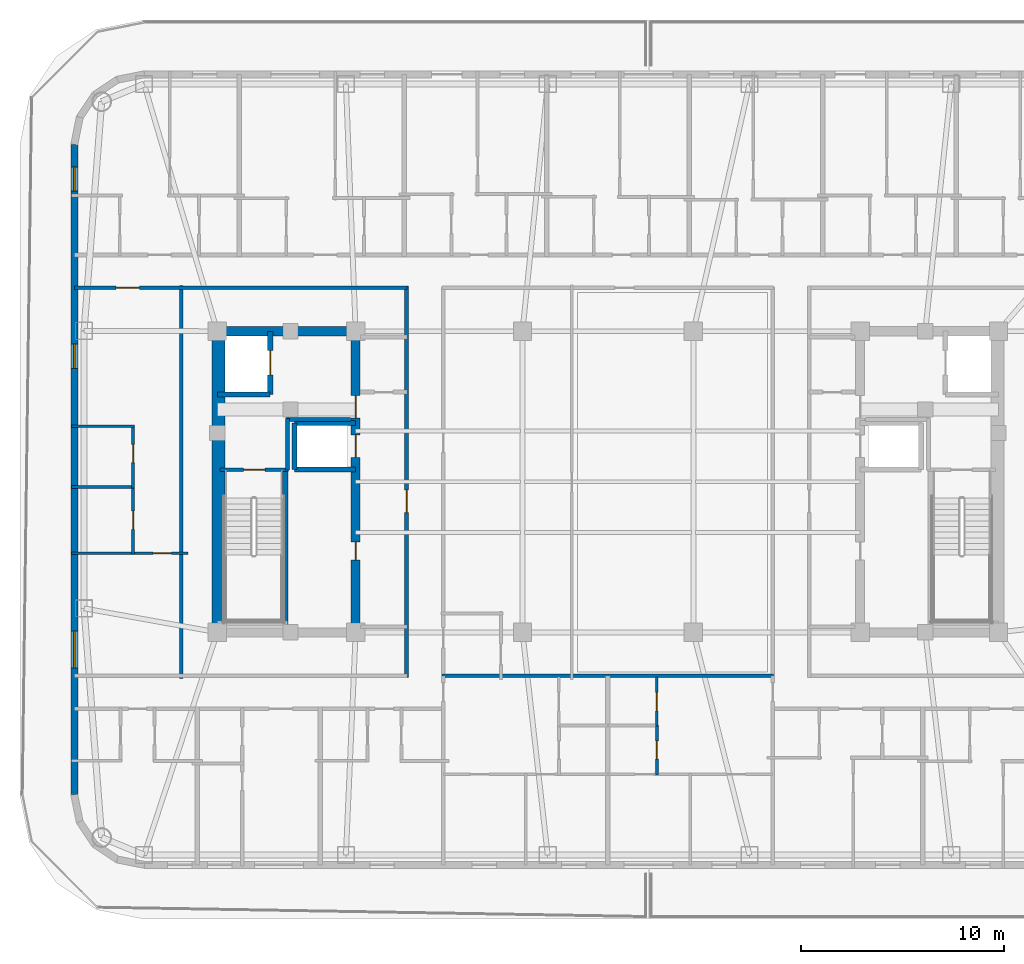
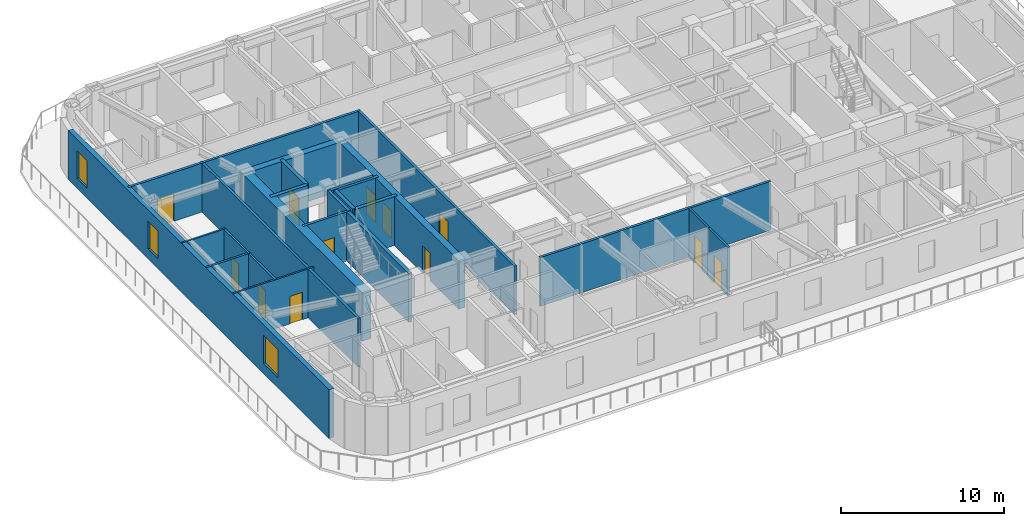
# One storey, part 4 of 15: 24 walls, 12 doors, 3 windows, 15 openings.
"""IFC4 building model written with IfcOpenShell, lengths in metres."""

from ifc_helpers import new_model, si_unit, direction, frame, frame_2d, origin, place, context, subcontext, project, spatial, rectangle, extrude, material, layer, layer_set, type_object, element, fill, save


model = new_model("IFC4")

# Units and contexts
model_context = context("Model", 3, precision=1e-05, world=origin(), true_north=direction((0.0, 1.0)))
body_context = subcontext(model_context, "Body", "Model", "MODEL_VIEW")
ifc_project = project(units=[si_unit("LENGTHUNIT", "METRE"), si_unit("AREAUNIT", "SQUARE_METRE"), si_unit("VOLUMEUNIT", "CUBIC_METRE"), si_unit("PLANEANGLEUNIT", "RADIAN"), si_unit("MASSUNIT", "GRAM", prefix="KILO")], contexts=[model_context])

# Site, building, storey
site_placement = place(None, origin())
site = spatial("IfcSite", under=ifc_project, at=site_placement, CompositionType="ELEMENT")
building_placement = place(site_placement, origin())
building = spatial("IfcBuilding", under=site, at=building_placement, Name="Voryun Gate Residences", CompositionType="ELEMENT")
storey_placement = place(building_placement, frame((0.0, 0.0, 231.39990234375)))
storey = spatial("IfcBuildingStorey", under=building, at=storey_placement, Name="L57", CompositionType="ELEMENT", Elevation=231.39990234375)

# Wall
ifc_material_1 = material(Name="Concrete C50/60", Category="concrete")
ifc_layer_1 = layer(ifc_material_1, 0.449951171875, Name="CW_CORE_450")
ifc_layer_set_1 = layer_set([ifc_layer_1], Name="Concrete C50/60")
wall_type_1 = type_object("IfcWallType", Name="CW_CORE_450", PredefinedType="SHEAR", material=ifc_layer_set_1)
wall_1_placement = place(storey_placement, frame((-19.425048828125, 7.39990234375, 0.0), z_axis=(0.0, 0.0, 1.0), x_axis=(1.0, 0.0, 0.0)))
element("IfcWall", 1, at=wall_1_placement, inside=storey, type_object=wall_type_1, Name="L57 Core shear wall CW-L57-WN", PredefinedType="SHEAR", context=body_context, shape_type="SweptSolid", body=[
    extrude(rectangle(XDim=7.25, YDim=0.449951171875, at=frame_2d((3.625, 0.0))), origin(), (0.0, 0.0, 1.0), 3.650146484375),
])

# Wall, openings, doors
wall_2_placement = place(storey_placement, frame((-12.39990234375, -7.39990234375, 0.0), z_axis=(0.0, 0.0, 1.0), x_axis=(0.0, 1.0, 0.0)))
wall_2 = element("IfcWall", 2, at=wall_2_placement, inside=storey, type_object=wall_type_1, Name="L57 Core shear wall CW-L57-WE", PredefinedType="SHEAR", context=body_context, shape_type="SweptSolid", body=[
    extrude(rectangle(XDim=14.7998046875, YDim=0.449951171875, at=frame_2d((7.39990234375, 0.0))), origin(), (0.0, 0.0, 1.0), 3.650146484375),
])
opening_1_placement = place(wall_2_placement, frame((8.60009765625, 0.0, 0.0)))
opening_1 = element("IfcOpeningElement", 3, at=opening_1_placement, cuts=wall_2, Name="Opening LD2", PredefinedType="OPENING", context=body_context, shape_type="SweptSolid", body=[
    extrude(rectangle(XDim=1.10009765625, YDim=2.050048828125, at=frame_2d((0.550048828125, 1.02490234375))), frame((0.0, 0.235107421875, 0.0), z_axis=(0.0, -1.0, 0.0), x_axis=(1.0, 0.0, 0.0)), (0.0, 0.0, 1.0), 0.469970703125),
])
opening_2_placement = place(wall_2_placement, frame((10.530029296875, 0.0, 0.0)))
opening_2 = element("IfcOpeningElement", 4, at=opening_2_placement, cuts=wall_2, Name="Opening D-FD60-2", PredefinedType="OPENING", context=body_context, shape_type="SweptSolid", body=[
    extrude(rectangle(XDim=1.10009765625, YDim=2.050048828125, at=frame_2d((0.550048828125, 1.02490234375))), frame((0.0, 0.235107421875, 0.0), z_axis=(0.0, -1.0, 0.0), x_axis=(1.0, 0.0, 0.0)), (0.0, 0.0, 1.0), 0.469970703125),
])
opening_3_placement = place(wall_2_placement, frame((3.550048828125, 0.0, 0.0)))
opening_3 = element("IfcOpeningElement", 5, at=opening_3_placement, cuts=wall_2, Name="Opening D-FD60-4", PredefinedType="OPENING", context=body_context, shape_type="SweptSolid", body=[
    extrude(rectangle(XDim=0.89990234375, YDim=2.050048828125, at=frame_2d((0.449951171875, 1.02490234375))), frame((0.0, 0.235107421875, 0.0), z_axis=(0.0, -1.0, 0.0), x_axis=(1.0, 0.0, 0.0)), (0.0, 0.0, 1.0), 0.469970703125),
])
ifc_material_2 = material(Name="Painted steel fire door", Category="steel")
door_type_1 = type_object("IfcDoorType", Name="DR_FD60_FFLOB_1100", OperationType="NOTDEFINED", PredefinedType="DOOR", material=ifc_material_2)
door_1_placement = place(opening_2_placement, origin())
door_1 = element("IfcDoor", 6, at=door_1_placement, inside=storey, type_object=door_type_1, Name="Door DR-L57-CLOB-W", OperationType="SINGLE_SWING_LEFT", OverallHeight=2.050048828125, OverallWidth=1.10009765625, PredefinedType="DOOR", context=body_context, shape_type="SweptSolid", body=[
    extrude(rectangle(XDim=1.10009765625, YDim=2.050048828125, at=frame_2d((0.550048828125, 1.02490234375))), frame((0.0, 0.02490234375, 0.0), z_axis=(0.0, -1.0, 0.0), x_axis=(1.0, 0.0, 0.0)), (0.0, 0.0, 1.0), 0.050048828125),
])
fill(opening_2, door_1)
ifc_material_3 = material(Name="Painted steel fire door", Category="steel")
door_type_2 = type_object("IfcDoorType", Name="DR_FD60_RISER_900", OperationType="NOTDEFINED", PredefinedType="DOOR", material=ifc_material_3)
door_2_placement = place(opening_3_placement, origin())
door_2 = element("IfcDoor", 7, at=door_2_placement, inside=storey, type_object=door_type_2, Name="Door DR-L57-RECW-HI", OperationType="SINGLE_SWING_LEFT", OverallHeight=2.050048828125, OverallWidth=0.89990234375, PredefinedType="DOOR", context=body_context, shape_type="SweptSolid", body=[
    extrude(rectangle(XDim=0.89990234375, YDim=2.050048828125, at=frame_2d((0.449951171875, 1.02490234375))), frame((0.0, 0.02490234375, 0.0), z_axis=(0.0, -1.0, 0.0), x_axis=(1.0, 0.0, 0.0)), (0.0, 0.0, 1.0), 0.050048828125),
])
fill(opening_3, door_2)
ifc_material_4 = material(Name="Anodised aluminium", Category="aluminium")
door_type_3 = type_object("IfcDoorType", Name="DR_LD_PASS_1100", OperationType="NOTDEFINED", PredefinedType="DOOR", material=ifc_material_4)
door_3_placement = place(opening_1_placement, origin())
door_3 = element("IfcDoor", 8, at=door_3_placement, inside=storey, type_object=door_type_3, Name="Lift EL-P7 sliding landing door L57", OperationType="SLIDING_TO_LEFT", OverallHeight=2.050048828125, OverallWidth=1.10009765625, PredefinedType="DOOR", context=body_context, shape_type="SweptSolid", body=[
    extrude(rectangle(XDim=1.10009765625, YDim=2.050048828125, at=frame_2d((0.550048828125, 1.02490234375))), frame((0.0, 0.02490234375, 0.0), z_axis=(0.0, -1.0, 0.0), x_axis=(1.0, 0.0, 0.0)), (0.0, 0.0, 1.0), 0.050048828125),
])
fill(opening_1, door_3)

# Wall
ifc_material_5 = material(Name="Concrete C60/75", Category="concrete")
ifc_layer_2 = layer(ifc_material_5, 0.64990234375, Name="CW_CORE_650")
ifc_layer_set_2 = layer_set([ifc_layer_2], Name="Concrete C60/75")
wall_type_2 = type_object("IfcWallType", Name="CW_CORE_650", PredefinedType="SHEAR", material=ifc_layer_set_2)
wall_3_placement = place(storey_placement, frame((-19.14501953125, -7.39990234375, 0.0), z_axis=(0.0, 0.0, 1.0), x_axis=(0.0, 1.0, 0.0)))
element("IfcWall", 9, at=wall_3_placement, inside=storey, type_object=wall_type_2, Name="L57 Core shear wall CW-L57-WW", PredefinedType="SHEAR", context=body_context, shape_type="SweptSolid", body=[
    extrude(rectangle(XDim=14.7998046875, YDim=0.64990234375, at=frame_2d((7.39990234375, 0.0))), origin(), (0.0, 0.0, 1.0), 3.650146484375),
])

# Wall, opening, door
ifc_material_6 = material(Name="Gypsum acoustic fireboard")
ifc_layer_3 = layer(ifc_material_6, 0.179931640625, Name="W_CORR_RATED_180")
ifc_layer_set_3 = layer_set([ifc_layer_3], Name="Gypsum acoustic fireboard")
wall_type_3 = type_object("IfcWallType", Name="W_CORR_RATED_180", PredefinedType="PARTITIONING", material=ifc_layer_set_3)
wall_4_placement = place(storey_placement, frame((-19.06005859375, 0.60009765625, 0.0), z_axis=(0.0, 0.0, 1.0), x_axis=(1.0, 0.0, 0.0)))
wall_4 = element("IfcWall", 10, at=wall_4_placement, inside=storey, type_object=wall_type_3, Name="Partition wall WP-L57-STV-W", PredefinedType="PARTITIONING", context=body_context, shape_type="SweptSolid", body=[
    extrude(rectangle(XDim=3.360107421875, YDim=0.179931640625, at=frame_2d((1.68017578125, 0.0))), origin(), (0.0, 0.0, 1.0), 3.650146484375),
])
opening_4_placement = place(wall_4_placement, frame((1.155029296875, 0.0, 0.0)))
opening_4 = element("IfcOpeningElement", 11, at=opening_4_placement, cuts=wall_4, Name="Opening D-FD60-1", PredefinedType="OPENING", context=body_context, shape_type="SweptSolid", body=[
    extrude(rectangle(XDim=1.050048828125, YDim=2.050048828125, at=frame_2d((0.52490234375, 1.02490234375))), frame((0.0, 0.099853515625, 0.0), z_axis=(0.0, -1.0, 0.0), x_axis=(1.0, 0.0, 0.0)), (0.0, 0.0, 1.0), 0.199951171875),
])
ifc_material_7 = material(Name="Painted steel fire door", Category="steel")
door_type_4 = type_object("IfcDoorType", Name="DR_FD60_STAIR_1050", OperationType="NOTDEFINED", PredefinedType="DOOR", material=ifc_material_7)
door_4_placement = place(opening_4_placement, origin())
door_4 = element("IfcDoor", 12, at=door_4_placement, inside=storey, type_object=door_type_4, Name="Door DR-L57-ST-W", OperationType="SINGLE_SWING_LEFT", OverallHeight=2.050048828125, OverallWidth=1.050048828125, PredefinedType="DOOR", context=body_context, shape_type="SweptSolid", body=[
    extrude(rectangle(XDim=1.050048828125, YDim=2.050048828125, at=frame_2d((0.52490234375, 1.02490234375))), frame((0.0, 0.02490234375, 0.0), z_axis=(0.0, -1.0, 0.0), x_axis=(1.0, 0.0, 0.0)), (0.0, 0.0, 1.0), 0.050048828125),
])
fill(opening_4, door_4)

wall_5_placement = place(storey_placement, frame((-9.89990234375, -9.6298828125, 0.0), z_axis=(0.0, 0.0, 1.0), x_axis=(0.0, 1.0, 0.0)))
wall_5 = element("IfcWall", 13, at=wall_5_placement, inside=storey, type_object=wall_type_3, Name="Partition wall WP-L57-PLBW-FULL", PredefinedType="PARTITIONING", context=body_context, shape_type="SweptSolid", body=[
    extrude(rectangle(XDim=19.259765625, YDim=0.179931640625, at=frame_2d((9.6298828125, 0.0))), origin(), (0.0, 0.0, 1.0), 3.650146484375),
])
opening_5_placement = place(wall_5_placement, frame((8.116943359375, 0.0, 0.0)))
opening_5 = element("IfcOpeningElement", 14, at=opening_5_placement, cuts=wall_5, Name="Opening D-FD60-2", PredefinedType="OPENING", context=body_context, shape_type="SweptSolid", body=[
    extrude(rectangle(XDim=1.10009765625, YDim=2.050048828125, at=frame_2d((0.550048828125, 1.02490234375))), frame((0.0, 0.099853515625, 0.0), z_axis=(0.0, -1.0, 0.0), x_axis=(1.0, 0.0, 0.0)), (0.0, 0.0, 1.0), 0.199951171875),
])
door_5_placement = place(opening_5_placement, origin())
door_5 = element("IfcDoor", 15, at=door_5_placement, inside=storey, type_object=door_type_1, Name="Door DR-L57-PLBW-COR", OperationType="SINGLE_SWING_LEFT", OverallHeight=2.050048828125, OverallWidth=1.10009765625, PredefinedType="DOOR", context=body_context, shape_type="SweptSolid", body=[
    extrude(rectangle(XDim=1.10009765625, YDim=2.050048828125, at=frame_2d((0.550048828125, 1.02490234375))), frame((0.0, 0.02490234375, 0.0), z_axis=(0.0, -1.0, 0.0), x_axis=(1.0, 0.0, 0.0)), (0.0, 0.0, 1.0), 0.050048828125),
])
fill(opening_5, door_5)

wall_6_placement = place(storey_placement, frame((-26.22998046875, 9.5400390625, 0.0), z_axis=(0.0, 0.0, 1.0), x_axis=(1.0, 0.0, 0.0)))
wall_6 = element("IfcWall", 16, at=wall_6_placement, inside=storey, type_object=wall_type_3, Name="Partition wall WP-L57-CWING-WN", PredefinedType="PARTITIONING", context=body_context, shape_type="SweptSolid", body=[
    extrude(rectangle(XDim=16.35009765625, YDim=0.179931640625, at=frame_2d((8.175048828125, 0.0))), origin(), (0.0, 0.0, 1.0), 3.650146484375),
])
opening_6_placement = place(wall_6_placement, frame((2.05078125, 0.0, 0.0)))
opening_6 = element("IfcOpeningElement", 17, at=opening_6_placement, cuts=wall_6, Name="Opening D-UNIT-1", PredefinedType="OPENING", context=body_context, shape_type="SweptSolid", body=[
    extrude(rectangle(XDim=1.14990234375, YDim=2.050048828125, at=frame_2d((0.574951171875, 1.02490234375))), frame((0.0, 0.099853515625, 0.0), z_axis=(0.0, -1.0, 0.0), x_axis=(1.0, 0.0, 0.0)), (0.0, 0.0, 1.0), 0.199951171875),
])
ifc_material_8 = material(Name="Armoured timber-clad fire door", Category="wood")
door_type_5 = type_object("IfcDoorType", Name="DR_UNIT_ENTRY_1150", OperationType="NOTDEFINED", PredefinedType="DOOR", material=ifc_material_8)
door_6_placement = place(opening_6_placement, origin())
door_6 = element("IfcDoor", 18, at=door_6_placement, inside=storey, type_object=door_type_5, Name="Door DR-L57-WE1N", OperationType="SINGLE_SWING_LEFT", OverallHeight=2.050048828125, OverallWidth=1.14990234375, PredefinedType="DOOR", context=body_context, shape_type="SweptSolid", body=[
    extrude(rectangle(XDim=1.14990234375, YDim=2.050048828125, at=frame_2d((0.574951171875, 1.02490234375))), frame((0.0, 0.02490234375, 0.0), z_axis=(0.0, -1.0, 0.0), x_axis=(1.0, 0.0, 0.0)), (0.0, 0.0, 1.0), 0.050048828125),
])
fill(opening_6, door_6)

# Walls
wall_7_placement = place(storey_placement, frame((-8.14990234375, -9.5400390625, 0.0), z_axis=(0.0, 0.0, 1.0), x_axis=(1.0, 0.0, 0.0)))
element("IfcWall", 19, at=wall_7_placement, inside=storey, type_object=wall_type_3, Name="Partition wall WP-L57-Z3S", PredefinedType="PARTITIONING", context=body_context, shape_type="SweptSolid", body=[
    extrude(rectangle(XDim=16.2998046875, YDim=0.179931640625, at=frame_2d((8.14990234375, 0.0))), origin(), (0.0, 0.0, 1.0), 3.650146484375),
])
wall_8_placement = place(storey_placement, frame((-20.969970703125, -9.659912109375, 0.0), z_axis=(0.0, 0.0, 1.0), x_axis=(0.0, 1.0, 0.0)))
element("IfcWall", 20, at=wall_8_placement, inside=storey, type_object=wall_type_3, Name="Partition wall WP-L57-WCOR", PredefinedType="PARTITIONING", context=body_context, shape_type="SweptSolid", body=[
    extrude(rectangle(XDim=19.31982421875, YDim=0.179931640625, at=frame_2d((9.659912109375, 0.0))), origin(), (0.0, 0.0, 1.0), 3.650146484375),
])

# Wall, openings, windows
ifc_material_9 = material(Name="Charcoal terracotta masonry", Category="masonry")
ifc_layer_4 = layer(ifc_material_9, 0.340087890625, Name="W_EXT_TERRACOTTA_340")
ifc_layer_set_4 = layer_set([ifc_layer_4], Name="Charcoal terracotta masonry")
wall_type_4 = type_object("IfcWallType", Name="W_EXT_TERRACOTTA_340", PredefinedType="ELEMENTEDWALL", material=ifc_layer_set_4)
wall_9_placement = place(storey_placement, frame((-26.22998046875, -15.38330078125, 0.0), z_axis=(0.0, 0.0, 1.0), x_axis=(0.0, 1.0, 0.0)))
wall_9 = element("IfcWall", 21, at=wall_9_placement, inside=storey, type_object=wall_type_4, Name="Exterior wall WEXT-L57-06", PredefinedType="ELEMENTEDWALL", context=body_context, shape_type="SweptSolid", body=[
    extrude(rectangle(XDim=31.966552734375, YDim=0.340087890625, at=frame_2d((15.9833984375, 0.0))), origin(), (0.0, 0.0, 1.0), 3.650146484375),
])
opening_7_placement = place(wall_9_placement, frame((6.24169921875, 0.0, 0.75)))
opening_7 = element("IfcOpeningElement", 22, at=opening_7_placement, cuts=wall_9, Name="Opening WN1", PredefinedType="OPENING", context=body_context, shape_type="SweptSolid", body=[
    extrude(rectangle(XDim=1.800048828125, YDim=2.10009765625, at=frame_2d((0.89990234375, 1.050048828125))), frame((0.0, 0.179931640625, 0.0), z_axis=(0.0, -1.0, 0.0), x_axis=(1.0, 0.0, 0.0)), (0.0, 0.0, 1.0), 0.360107421875),
])
opening_8_placement = place(wall_9_placement, frame((29.6669921875, 0.0, 0.75)))
opening_8 = element("IfcOpeningElement", 23, at=opening_8_placement, cuts=wall_9, Name="Opening WN6", PredefinedType="OPENING", context=body_context, shape_type="SweptSolid", body=[
    extrude(rectangle(XDim=1.199951171875, YDim=2.050048828125, at=frame_2d((0.60009765625, 1.02490234375))), frame((0.0, 0.179931640625, 0.0), z_axis=(0.0, -1.0, 0.0), x_axis=(1.0, 0.0, 0.0)), (0.0, 0.0, 1.0), 0.360107421875),
])
opening_9_placement = place(wall_9_placement, frame((20.953369140625, 0.0, 0.75)))
opening_9 = element("IfcOpeningElement", 24, at=opening_9_placement, cuts=wall_9, Name="Opening WN6", PredefinedType="OPENING", context=body_context, shape_type="SweptSolid", body=[
    extrude(rectangle(XDim=1.199951171875, YDim=2.050048828125, at=frame_2d((0.60009765625, 1.02490234375))), frame((0.0, 0.179931640625, 0.0), z_axis=(0.0, -1.0, 0.0), x_axis=(1.0, 0.0, 0.0)), (0.0, 0.0, 1.0), 0.360107421875),
])
ifc_material_10 = material(Name="Laminated low-E glass", Category="glass")
window_type_1 = type_object("IfcWindowType", Name="WN_POD_SLOT_1200", PartitioningType="SINGLE_PANEL", PredefinedType="WINDOW", material=ifc_material_10)
window_1_placement = place(opening_8_placement, origin())
window_1 = element("IfcWindow", 25, at=window_1_placement, inside=storey, type_object=window_type_1, Name="Window WN-L57-DWFIX-01", OverallHeight=2.050048828125, OverallWidth=1.199951171875, PartitioningType="SINGLE_PANEL", PredefinedType="WINDOW", context=body_context, shape_type="SweptSolid", body=[
    extrude(rectangle(XDim=1.199951171875, YDim=2.050048828125, at=frame_2d((0.60009765625, 1.02490234375))), frame((0.0, 0.030029296875, 0.0), z_axis=(0.0, -1.0, 0.0), x_axis=(1.0, 0.0, 0.0)), (0.0, 0.0, 1.0), 0.06005859375),
])
fill(opening_8, window_1)
window_2_placement = place(opening_9_placement, origin())
window_2 = element("IfcWindow", 26, at=window_2_placement, inside=storey, type_object=window_type_1, Name="Window WN-L57-DWFIX-25", OverallHeight=2.050048828125, OverallWidth=1.199951171875, PartitioningType="SINGLE_PANEL", PredefinedType="WINDOW", context=body_context, shape_type="SweptSolid", body=[
    extrude(rectangle(XDim=1.199951171875, YDim=2.050048828125, at=frame_2d((0.60009765625, 1.02490234375))), frame((0.0, 0.030029296875, 0.0), z_axis=(0.0, -1.0, 0.0), x_axis=(1.0, 0.0, 0.0)), (0.0, 0.0, 1.0), 0.06005859375),
])
fill(opening_9, window_2)
ifc_material_11 = material(Name="Laminated low-E glass", Category="glass")
window_type_2 = type_object("IfcWindowType", Name="WN_RES_PUNCH_1800", PartitioningType="SINGLE_PANEL", PredefinedType="WINDOW", material=ifc_material_11)
window_3_placement = place(opening_7_placement, origin())
window_3 = element("IfcWindow", 27, at=window_3_placement, inside=storey, type_object=window_type_2, Name="Window WN-WEXT-L57-06-01", OverallHeight=2.10009765625, OverallWidth=1.800048828125, PartitioningType="SINGLE_PANEL", PredefinedType="WINDOW", context=body_context, shape_type="SweptSolid", body=[
    extrude(rectangle(XDim=1.800048828125, YDim=2.10009765625, at=frame_2d((0.89990234375, 1.050048828125))), frame((0.0, 0.030029296875, 0.0), z_axis=(0.0, -1.0, 0.0), x_axis=(1.0, 0.0, 0.0)), (0.0, 0.0, 1.0), 0.06005859375),
])
fill(opening_7, window_3)

# Walls
ifc_material_12 = material(Name="Concrete C40/50", Category="concrete")
ifc_layer_5 = layer(ifc_material_12, 0.199951171875, Name="W_FF_LOBBY_200")
ifc_layer_set_5 = layer_set([ifc_layer_5], Name="Concrete C40/50")
wall_type_5 = type_object("IfcWallType", Name="W_FF_LOBBY_200", PredefinedType="PARTITIONING", material=ifc_layer_set_5)
wall_10_placement = place(storey_placement, frame((-15.760009765625, 0.580078125, 0.0), z_axis=(0.0, 0.0, 1.0), x_axis=(0.0, 1.0, 0.0)))
element("IfcWall", 28, at=wall_10_placement, inside=storey, type_object=wall_type_5, Name="Partition wall WP-L57-FFP0-W", PredefinedType="PARTITIONING", context=body_context, shape_type="SweptSolid", body=[
    extrude(rectangle(XDim=2.52001953125, YDim=0.199951171875, at=frame_2d((1.260009765625, 0.0))), origin(), (0.0, 0.0, 1.0), 3.650146484375),
])
wall_11_placement = place(storey_placement, frame((-15.820068359375, 3.06005859375, 0.0), z_axis=(0.0, 0.0, 1.0), x_axis=(1.0, 0.0, 0.0)))
element("IfcWall", 29, at=wall_11_placement, inside=storey, type_object=wall_type_5, Name="Partition wall WP-L57-FFPS-W", PredefinedType="PARTITIONING", context=body_context, shape_type="SweptSolid", body=[
    extrude(rectangle(XDim=3.16015625, YDim=0.199951171875, at=frame_2d((1.580078125, 0.0))), origin(), (0.0, 0.0, 1.0), 3.650146484375),
])
ifc_material_13 = material(Name="Concrete C50/60", Category="concrete")
ifc_layer_6 = layer(ifc_material_13, 0.25, Name="W_SHAFT_RC250")
ifc_layer_set_6 = layer_set([ifc_layer_6], Name="Concrete C50/60")
wall_type_6 = type_object("IfcWallType", Name="W_SHAFT_RC250", PredefinedType="SOLIDWALL", material=ifc_layer_set_6)
wall_12_placement = place(storey_placement, frame((-15.860107421875, -7.0849609375, 0.0), z_axis=(0.0, 0.0, 1.0), x_axis=(0.0, 1.0, 0.0)))
element("IfcWall", 30, at=wall_12_placement, inside=storey, type_object=wall_type_6, Name="L57 Stair shaft structural wall W-STR", PredefinedType="SOLIDWALL", context=body_context, shape_type="SweptSolid", body=[
    extrude(rectangle(XDim=7.68505859375, YDim=0.25, at=frame_2d((3.842529296875, 0.0))), origin(), (0.0, 0.0, 1.0), 3.650146484375),
])
wall_13_placement = place(storey_placement, frame((-19.199951171875, 4.300048828125, 0.0), z_axis=(0.0, 0.0, 1.0), x_axis=(1.0, 0.0, 0.0)))
element("IfcWall", 31, at=wall_13_placement, inside=storey, type_object=wall_type_6, Name="Lift shaft wall WSH-L57-EL-FF-W1-S", PredefinedType="SOLIDWALL", context=body_context, shape_type="SweptSolid", body=[
    extrude(rectangle(XDim=2.599853515625, YDim=0.25, at=frame_2d((1.2998046875, 0.0))), origin(), (0.0, 0.0, 1.0), 3.650146484375),
])

# Wall, opening, door
wall_14_placement = place(storey_placement, frame((-16.60009765625, 4.300048828125, 0.0), z_axis=(0.0, 0.0, 1.0), x_axis=(0.0, 1.0, 0.0)))
wall_14 = element("IfcWall", 32, at=wall_14_placement, inside=storey, type_object=wall_type_6, Name="Lift shaft wall WSH-L57-EL-FF-W1-E", PredefinedType="SOLIDWALL", context=body_context, shape_type="SweptSolid", body=[
    extrude(rectangle(XDim=3.099853515625, YDim=0.25, at=frame_2d((1.5498046875, 0.0))), origin(), (0.0, 0.0, 1.0), 3.650146484375),
])
opening_10_placement = place(wall_14_placement, frame((0.949951171875, 0.0, 0.0)))
opening_10 = element("IfcOpeningElement", 33, at=opening_10_placement, cuts=wall_14, Name="Opening LD1", PredefinedType="OPENING", context=body_context, shape_type="SweptSolid", body=[
    extrude(rectangle(XDim=1.199951171875, YDim=2.050048828125, at=frame_2d((0.60009765625, 1.02490234375))), frame((0.0, 0.135009765625, 0.0), z_axis=(0.0, -1.0, 0.0), x_axis=(1.0, 0.0, 0.0)), (0.0, 0.0, 1.0), 0.27001953125),
])
ifc_material_14 = material(Name="Anodised aluminium", Category="aluminium")
door_type_6 = type_object("IfcDoorType", Name="DR_LD_FF_1200", OperationType="NOTDEFINED", PredefinedType="DOOR", material=ifc_material_14)
door_7_placement = place(opening_10_placement, origin())
door_7 = element("IfcDoor", 34, at=door_7_placement, inside=storey, type_object=door_type_6, Name="Lift EL-FF-W1 sliding landing door L57", OperationType="SLIDING_TO_LEFT", OverallHeight=2.050048828125, OverallWidth=1.199951171875, PredefinedType="DOOR", context=body_context, shape_type="SweptSolid", body=[
    extrude(rectangle(XDim=1.199951171875, YDim=2.050048828125, at=frame_2d((0.60009765625, 1.02490234375))), frame((0.0, 0.02490234375, 0.0), z_axis=(0.0, -1.0, 0.0), x_axis=(1.0, 0.0, 0.0)), (0.0, 0.0, 1.0), 0.050048828125),
])
fill(opening_10, door_7)

# Walls
for number, where, z_axis, x_axis, name in (
    (35, (-15.39990234375, 0.60009765625, 0.0), (0.0, 0.0, 1.0), (1.0, 0.0, 0.0), "Lift shaft wall WSH-L57-EL-P7-S"),
    (36, (-12.39990234375, 2.89990234375, 0.0), (0.0, 0.0, 1.0), (-1.0, 0.0, 0.0), "Lift shaft wall WSH-L57-EL-P7-N"),
):
    element("IfcWall", number, at=place(storey_placement, frame(where, z_axis=z_axis, x_axis=x_axis)), inside=storey, type_object=wall_type_6, Name=name, PredefinedType="SOLIDWALL", context=body_context, shape_type="SweptSolid", body=[
        extrude(rectangle(XDim=3.0, YDim=0.25, at=frame_2d((1.5, 0.0))), origin(), (0.0, 0.0, 1.0), 3.650146484375),
    ])
wall_15_placement = place(storey_placement, frame((-15.39990234375, 2.89990234375, 0.0), z_axis=(0.0, 0.0, 1.0), x_axis=(0.0, -1.0, 0.0)))
element("IfcWall", 37, at=wall_15_placement, inside=storey, type_object=wall_type_6, Name="Lift shaft wall WSH-L57-EL-P7-W", PredefinedType="SOLIDWALL", context=body_context, shape_type="SweptSolid", body=[
    extrude(rectangle(XDim=2.2998046875, YDim=0.25, at=frame_2d((1.14990234375, 0.0))), origin(), (0.0, 0.0, 1.0), 3.650146484375),
])

# Wall, opening, door
ifc_material_15 = material(Name="Gypsum acoustic partition")
ifc_layer_7 = layer(ifc_material_15, 0.125, Name="W_UNIT_PART_125")
ifc_layer_set_7 = layer_set([ifc_layer_7], Name="Gypsum acoustic partition")
wall_type_7 = type_object("IfcWallType", Name="W_UNIT_PART_125", PredefinedType="PARTITIONING", material=ifc_layer_set_7)
wall_16_placement = place(storey_placement, frame((2.409912109375, -12.010009765625, 0.0), z_axis=(0.0, 0.0, 1.0), x_axis=(0.0, 1.0, 0.0)))
wall_16 = element("IfcWall", 38, at=wall_16_placement, inside=storey, type_object=wall_type_7, Name="Partition wall WP-L57-SC2-VK1", PredefinedType="PARTITIONING", context=body_context, shape_type="SweptSolid", body=[
    extrude(rectangle(XDim=2.409912109375, YDim=0.125, at=frame_2d((1.205078125, 0.0))), origin(), (0.0, 0.0, 1.0), 3.650146484375),
])
opening_11_placement = place(wall_16_placement, frame((0.7548828125, 0.0, 0.0)))
opening_11 = element("IfcOpeningElement", 39, at=opening_11_placement, cuts=wall_16, Name="Opening D-INT-2", PredefinedType="OPENING", context=body_context, shape_type="SweptSolid", body=[
    extrude(rectangle(XDim=0.89990234375, YDim=2.050048828125, at=frame_2d((0.449951171875, 1.02490234375))), frame((0.0, 0.072509765625, 0.0), z_axis=(0.0, -1.0, 0.0), x_axis=(1.0, 0.0, 0.0)), (0.0, 0.0, 1.0), 0.14501953125),
])
ifc_material_16 = material(Name="Architectural oak veneer")
door_type_7 = type_object("IfcDoorType", Name="DR_INT_BATH_900", OperationType="NOTDEFINED", PredefinedType="DOOR", material=ifc_material_16)
door_8_placement = place(opening_11_placement, origin())
door_8 = element("IfcDoor", 40, at=door_8_placement, inside=storey, type_object=door_type_7, Name="Door DR-L57-SC2-DK", OperationType="SINGLE_SWING_LEFT", OverallHeight=2.050048828125, OverallWidth=0.89990234375, PredefinedType="DOOR", context=body_context, shape_type="SweptSolid", body=[
    extrude(rectangle(XDim=0.89990234375, YDim=2.050048828125, at=frame_2d((0.449951171875, 1.02490234375))), frame((0.0, 0.02490234375, 0.0), z_axis=(0.0, -1.0, 0.0), x_axis=(1.0, 0.0, 0.0)), (0.0, 0.0, 1.0), 0.050048828125),
])
fill(opening_11, door_8)

# Wall
wall_17_placement = place(storey_placement, frame((-26.3798828125, 2.739990234375, 0.0), z_axis=(0.0, 0.0, 1.0), x_axis=(1.0, 0.0, 0.0)))
element("IfcWall", 41, at=wall_17_placement, inside=storey, type_object=wall_type_7, Name="Partition wall WP-L57-W1-HZ1", PredefinedType="PARTITIONING", context=body_context, shape_type="SweptSolid", body=[
    extrude(rectangle(XDim=3.119873046875, YDim=0.125, at=frame_2d((1.56005859375, 0.0))), origin(), (0.0, 0.0, 1.0), 3.650146484375),
])

# Wall, opening, door
wall_18_placement = place(storey_placement, frame((-26.3798828125, -3.510009765625, 0.0), z_axis=(0.0, 0.0, 1.0), x_axis=(1.0, 0.0, 0.0)))
wall_18 = element("IfcWall", 42, at=wall_18_placement, inside=storey, type_object=wall_type_7, Name="Partition wall WP-L57-W1-HZ3", PredefinedType="PARTITIONING", context=body_context, shape_type="SweptSolid", body=[
    extrude(rectangle(XDim=5.72998046875, YDim=0.125, at=frame_2d((2.864990234375, 0.0))), origin(), (0.0, 0.0, 1.0), 3.650146484375),
])
opening_12_placement = place(wall_18_placement, frame((4.019287109375, 0.0, 0.0)))
opening_12 = element("IfcOpeningElement", 43, at=opening_12_placement, cuts=wall_18, Name="Opening D-INT-2", PredefinedType="OPENING", context=body_context, shape_type="SweptSolid", body=[
    extrude(rectangle(XDim=0.89990234375, YDim=2.050048828125, at=frame_2d((0.449951171875, 1.02490234375))), frame((0.0, 0.072509765625, 0.0), z_axis=(0.0, -1.0, 0.0), x_axis=(1.0, 0.0, 0.0)), (0.0, 0.0, 1.0), 0.14501953125),
])
door_9_placement = place(opening_12_placement, origin())
door_9 = element("IfcDoor", 44, at=door_9_placement, inside=storey, type_object=door_type_7, Name="Door DR-L57-W1-DMB", OperationType="SINGLE_SWING_LEFT", OverallHeight=2.050048828125, OverallWidth=0.89990234375, PredefinedType="DOOR", context=body_context, shape_type="SweptSolid", body=[
    extrude(rectangle(XDim=0.89990234375, YDim=2.050048828125, at=frame_2d((0.449951171875, 1.02490234375))), frame((0.0, 0.02490234375, 0.0), z_axis=(0.0, -1.0, 0.0), x_axis=(1.0, 0.0, 0.0)), (0.0, 0.0, 1.0), 0.050048828125),
])
fill(opening_12, door_9)

ifc_material_17 = material(Name="Gypsum moisture-resistant partition")
ifc_layer_8 = layer(ifc_material_17, 0.14990234375, Name="W_WET_PLUMB_150")
ifc_layer_set_8 = layer_set([ifc_layer_8], Name="Gypsum moisture-resistant partition")
wall_type_8 = type_object("IfcWallType", Name="W_WET_PLUMB_150", PredefinedType="PLUMBINGWALL", material=ifc_layer_set_8)
wall_19_placement = place(storey_placement, frame((2.409912109375, -14.419921875, 0.0), z_axis=(0.0, 0.0, 1.0), x_axis=(0.0, 1.0, 0.0)))
wall_19 = element("IfcWall", 45, at=wall_19_placement, inside=storey, type_object=wall_type_8, Name="Partition wall WP-L57-SC2-VK2", PredefinedType="PLUMBINGWALL", context=body_context, shape_type="SweptSolid", body=[
    extrude(rectangle(XDim=2.469970703125, YDim=0.14990234375, at=frame_2d((1.23486328125, 0.0))), origin(), (0.0, 0.0, 1.0), 3.650146484375),
])
opening_13_placement = place(wall_19_placement, frame((0.784912109375, 0.0, 0.0)))
opening_13 = element("IfcOpeningElement", 46, at=opening_13_placement, cuts=wall_19, Name="Opening D-INT-2", PredefinedType="OPENING", context=body_context, shape_type="SweptSolid", body=[
    extrude(rectangle(XDim=0.89990234375, YDim=2.050048828125, at=frame_2d((0.449951171875, 1.02490234375))), frame((0.0, 0.0849609375, 0.0), z_axis=(0.0, -1.0, 0.0), x_axis=(1.0, 0.0, 0.0)), (0.0, 0.0, 1.0), 0.169921875),
])
door_10_placement = place(opening_13_placement, origin())
door_10 = element("IfcDoor", 47, at=door_10_placement, inside=storey, type_object=door_type_7, Name="Door DR-L57-SC2-DB", OperationType="SINGLE_SWING_RIGHT", OverallHeight=2.050048828125, OverallWidth=0.89990234375, PredefinedType="DOOR", context=body_context, shape_type="SweptSolid", body=[
    extrude(rectangle(XDim=0.89990234375, YDim=2.050048828125, at=frame_2d((0.449951171875, 1.02490234375))), frame((0.0, 0.02490234375, 0.0), z_axis=(0.0, -1.0, 0.0), x_axis=(1.0, 0.0, 0.0)), (0.0, 0.0, 1.0), 0.050048828125),
])
fill(opening_13, door_10)

# Wall
wall_20_placement = place(storey_placement, frame((-26.3798828125, -0.260009765625, 0.0), z_axis=(0.0, 0.0, 1.0), x_axis=(1.0, 0.0, 0.0)))
element("IfcWall", 48, at=wall_20_placement, inside=storey, type_object=wall_type_8, Name="Partition wall WP-L57-W1-HZ2", PredefinedType="PLUMBINGWALL", context=body_context, shape_type="SweptSolid", body=[
    extrude(rectangle(XDim=3.119873046875, YDim=0.14990234375, at=frame_2d((1.56005859375, 0.0))), origin(), (0.0, 0.0, 1.0), 3.650146484375),
])

# Wall, opening, door
wall_21_placement = place(storey_placement, frame((-23.340087890625, -3.550048828125, 0.0), z_axis=(0.0, 0.0, 1.0), x_axis=(0.0, 1.0, 0.0)))
wall_21 = element("IfcWall", 49, at=wall_21_placement, inside=storey, type_object=wall_type_8, Name="Partition wall WP-L57-W1-VKB1", PredefinedType="PLUMBINGWALL", context=body_context, shape_type="SweptSolid", body=[
    extrude(rectangle(XDim=3.330078125, YDim=0.14990234375, at=frame_2d((1.6650390625, 0.0))), origin(), (0.0, 0.0, 1.0), 3.650146484375),
])
opening_14_placement = place(wall_21_placement, frame((1.215087890625, 0.0, 0.0)))
opening_14 = element("IfcOpeningElement", 50, at=opening_14_placement, cuts=wall_21, Name="Opening D-INT-2", PredefinedType="OPENING", context=body_context, shape_type="SweptSolid", body=[
    extrude(rectangle(XDim=0.89990234375, YDim=2.050048828125, at=frame_2d((0.449951171875, 1.02490234375))), frame((0.0, 0.0849609375, 0.0), z_axis=(0.0, -1.0, 0.0), x_axis=(1.0, 0.0, 0.0)), (0.0, 0.0, 1.0), 0.169921875),
])
door_11_placement = place(opening_14_placement, origin())
door_11 = element("IfcDoor", 51, at=door_11_placement, inside=storey, type_object=door_type_7, Name="Door DR-L57-W1-DB", OperationType="SINGLE_SWING_LEFT", OverallHeight=2.050048828125, OverallWidth=0.89990234375, PredefinedType="DOOR", context=body_context, shape_type="SweptSolid", body=[
    extrude(rectangle(XDim=0.89990234375, YDim=2.050048828125, at=frame_2d((0.449951171875, 1.02490234375))), frame((0.0, 0.02490234375, 0.0), z_axis=(0.0, -1.0, 0.0), x_axis=(1.0, 0.0, 0.0)), (0.0, 0.0, 1.0), 0.050048828125),
])
fill(opening_14, door_11)

wall_22_placement = place(storey_placement, frame((-23.340087890625, -0.300048828125, 0.0), z_axis=(0.0, 0.0, 1.0), x_axis=(0.0, 1.0, 0.0)))
wall_22 = element("IfcWall", 52, at=wall_22_placement, inside=storey, type_object=wall_type_8, Name="Partition wall WP-L57-W1-VKB2", PredefinedType="PLUMBINGWALL", context=body_context, shape_type="SweptSolid", body=[
    extrude(rectangle(XDim=3.080078125, YDim=0.14990234375, at=frame_2d((1.5400390625, 0.0))), origin(), (0.0, 0.0, 1.0), 3.650146484375),
])
opening_15_placement = place(wall_22_placement, frame((1.243896484375, 0.0, 0.0)))
opening_15 = element("IfcOpeningElement", 53, at=opening_15_placement, cuts=wall_22, Name="Opening D-INT-2", PredefinedType="OPENING", context=body_context, shape_type="SweptSolid", body=[
    extrude(rectangle(XDim=0.89990234375, YDim=2.050048828125, at=frame_2d((0.449951171875, 1.02490234375))), frame((0.0, 0.0849609375, 0.0), z_axis=(0.0, -1.0, 0.0), x_axis=(1.0, 0.0, 0.0)), (0.0, 0.0, 1.0), 0.169921875),
])
door_12_placement = place(opening_15_placement, origin())
door_12 = element("IfcDoor", 54, at=door_12_placement, inside=storey, type_object=door_type_7, Name="Door DR-L57-W1-DK", OperationType="SINGLE_SWING_RIGHT", OverallHeight=2.050048828125, OverallWidth=0.89990234375, PredefinedType="DOOR", context=body_context, shape_type="SweptSolid", body=[
    extrude(rectangle(XDim=0.89990234375, YDim=2.050048828125, at=frame_2d((0.449951171875, 1.02490234375))), frame((0.0, 0.02490234375, 0.0), z_axis=(0.0, -1.0, 0.0), x_axis=(1.0, 0.0, 0.0)), (0.0, 0.0, 1.0), 0.050048828125),
])
fill(opening_15, door_12)

save(model, "model.ifc")
